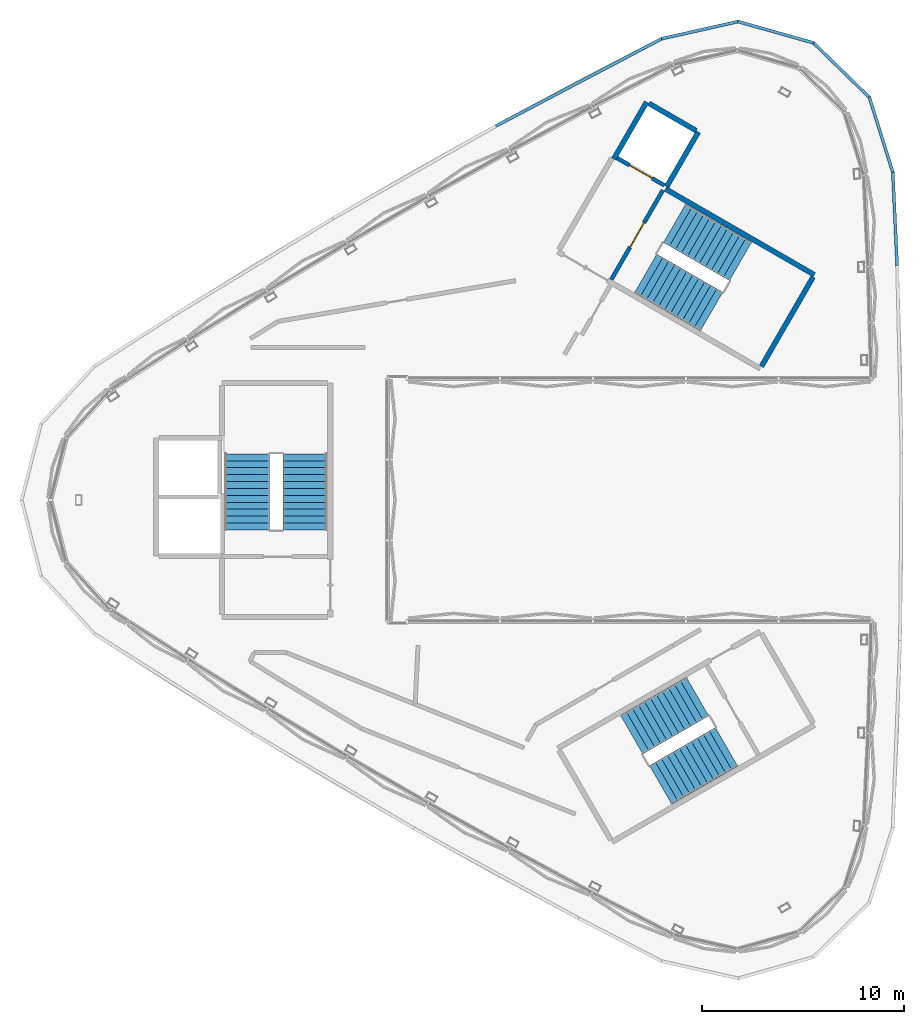
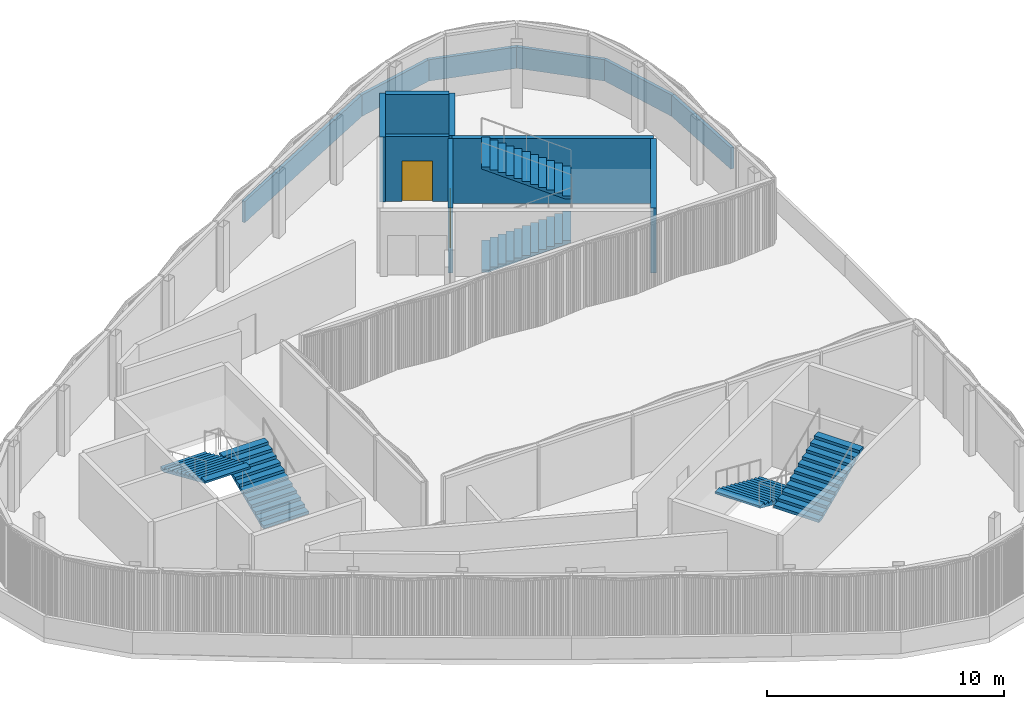
# One storey, part 8 of 16: 13 walls, 6 stair flights, 2 doors, 2 openings, 3 elements without a shape of their own.
"""IFC4 building model written with IfcOpenShell, lengths in metres."""

from ifc_helpers import new_model, si_unit, direction, frame, frame_2d, origin, place, context, subcontext, project, spatial, polyline, rectangle, outline, extrude, material, layer, layer_set, type_object, element, fill, aggregate, save


model = new_model("IFC4")

# Units and contexts
model_context = context("Model", 3, precision=1e-05, world=origin(), true_north=direction((0.0, 1.0)))
body_context = subcontext(model_context, "Body", "Model", "MODEL_VIEW")
ifc_project = project(units=[si_unit("LENGTHUNIT", "METRE"), si_unit("AREAUNIT", "SQUARE_METRE"), si_unit("VOLUMEUNIT", "CUBIC_METRE"), si_unit("PLANEANGLEUNIT", "RADIAN"), si_unit("MASSUNIT", "GRAM", prefix="KILO")], contexts=[model_context])

# Site, building, storey
site_placement = place(None, origin())
site = spatial("IfcSite", under=ifc_project, at=site_placement, CompositionType="ELEMENT")
building_placement = place(site_placement, origin())
building = spatial("IfcBuilding", under=site, at=building_placement, Name="Tamra Quay Hotel Tower", CompositionType="ELEMENT")
storey_placement = place(building_placement, frame((0.0, 0.0, 320.60009765625)))
storey = spatial("IfcBuildingStorey", under=building, at=storey_placement, Name="Roof crown 1", CompositionType="ELEMENT", Elevation=320.60009765625)

# Wall, opening, door
ifc_material_1 = material(Name="Concrete M70", Category="concrete")
ifc_layer_1 = layer(ifc_material_1, 0.199951171875)
ifc_layer_set_1 = layer_set([ifc_layer_1], Name="Concrete M70 core wall 200")
wall_type_1 = type_object("IfcWallType", Name="Concrete M70 core wall 200", PredefinedType="SHEAR", material=ifc_layer_set_1)
wall_1_placement = place(storey_placement, frame((3.056640625, 10.89453125, 0.0), z_axis=(0.0, 0.0, 1.0), x_axis=(0.499991534382, 0.866030291356, 0.0)))
wall_1 = element("IfcWall", 1, at=wall_1_placement, inside=storey, type_object=wall_type_1, Name="CW2", PredefinedType="SHEAR", context=body_context, shape_type="SweptSolid", body=[
    extrude(rectangle(XDim=5.10498046875, YDim=0.199951171875, at=frame_2d((2.552490234375, 0.0))), origin(), (0.0, 0.0, 1.0), 3.349853515625),
])
opening_1_placement = place(wall_1_placement, frame((1.84912109375, 0.0, 0.0)))
opening_1 = element("IfcOpeningElement", 2, at=opening_1_placement, cuts=wall_1, Name="Opening FD2", PredefinedType="OPENING", context=body_context, shape_type="SweptSolid", body=[
    extrude(rectangle(XDim=1.39990234375, YDim=2.10009765625, at=frame_2d((0.699951171875, 1.050048828125))), frame((0.0, 0.10986328125, 0.0), z_axis=(0.0, -1.0, 0.0), x_axis=(1.0, 0.0, 0.0)), (0.0, 0.0, 1.0), 0.219970703125),
])
ifc_material_2 = material(Name="Core door FD2 1400x2100 RH")
door_type_1 = type_object("IfcDoorType", Name="Core door FD2 1400x2100 RH", OperationType="NOTDEFINED", PredefinedType="DOOR", material=ifc_material_2)
door_1_placement = place(opening_1_placement, origin())
door_1 = element("IfcDoor", 3, at=door_1_placement, inside=storey, type_object=door_type_1, Name="FD2", OperationType="SINGLE_SWING_RIGHT", OverallHeight=2.10009765625, OverallWidth=1.39990234375, PredefinedType="DOOR", context=body_context, shape_type="SweptSolid", body=[
    extrude(rectangle(XDim=1.39990234375, YDim=2.10009765625, at=frame_2d((0.699951171875, 1.050048828125))), frame((0.0, 0.02490234375, 0.0), z_axis=(0.0, -1.0, 0.0), x_axis=(1.0, 0.0, 0.0)), (0.0, 0.0, 1.0), 0.050048828125),
])
fill(opening_1, door_1)

wall_2_placement = place(storey_placement, frame((5.68798828125, 15.5517578125, 0.0), z_axis=(0.0, 0.0, 1.0), x_axis=(-0.866007835605, 0.500030427744, 0.0)))
wall_2 = element("IfcWall", 4, at=wall_2_placement, inside=storey, type_object=wall_type_1, Name="CW2", PredefinedType="SHEAR", context=body_context, shape_type="SweptSolid", body=[
    extrude(rectangle(XDim=2.698974609375, YDim=0.199951171875, at=frame_2d((1.349609375, 0.0))), origin(), (0.0, 0.0, 1.0), 3.349853515625),
])
opening_2_placement = place(wall_2_placement, frame((0.699951171875, 0.0, 0.0)))
opening_2 = element("IfcOpeningElement", 5, at=opening_2_placement, cuts=wall_2, Name="Opening LD", PredefinedType="OPENING", context=body_context, shape_type="SweptSolid", body=[
    extrude(rectangle(XDim=1.300048828125, YDim=2.10009765625, at=frame_2d((0.64990234375, 1.050048828125))), frame((0.0, 0.10986328125, 0.0), z_axis=(0.0, -1.0, 0.0), x_axis=(1.0, 0.0, 0.0)), (0.0, 0.0, 1.0), 0.219970703125),
])
ifc_material_3 = material(Name="Landing door LD 1300 sliding to left")
door_type_2 = type_object("IfcDoorType", Name="Landing door LD 1300 sliding to left", OperationType="NOTDEFINED", PredefinedType="DOOR", material=ifc_material_3)
door_2_placement = place(opening_2_placement, origin())
door_2 = element("IfcDoor", 6, at=door_2_placement, inside=storey, type_object=door_type_2, Name="LD", OperationType="SLIDING_TO_LEFT", OverallHeight=2.10009765625, OverallWidth=1.300048828125, PredefinedType="DOOR", context=body_context, shape_type="SweptSolid", body=[
    extrude(rectangle(XDim=1.300048828125, YDim=2.10009765625, at=frame_2d((0.64990234375, 1.050048828125))), frame((0.0, 0.02490234375, 0.0), z_axis=(0.0, -1.0, 0.0), x_axis=(1.0, 0.0, 0.0)), (0.0, 0.0, 1.0), 0.050048828125),
])
fill(opening_2, door_2)

# Walls
ifc_layer_2 = layer(ifc_material_1, 0.25)
ifc_layer_set_2 = layer_set([ifc_layer_2], Name="Concrete M70 core wall 250")
wall_type_2 = type_object("IfcWallType", Name="Concrete M70 core wall 250", PredefinedType="SHEAR", material=ifc_layer_set_2)
wall_3_placement = place(storey_placement, frame((5.733642578125, 15.381103515625, 0.0), z_axis=(0.0, 0.0, 1.0), x_axis=(0.866028703517, -0.499994284652, 0.0)))
element("IfcWall", 7, at=wall_3_placement, inside=storey, type_object=wall_type_2, Name="CW1", PredefinedType="SHEAR", context=body_context, shape_type="SweptSolid", body=[
    extrude(rectangle(XDim=8.5, YDim=0.25, at=frame_2d((4.25, 0.0))), origin(), (0.0, 0.0, 1.0), 3.349853515625),
])
wall_4_placement = place(storey_placement, frame((13.0322265625, 11.0224609375, 0.0), z_axis=(0.0, 0.0, 1.0), x_axis=(-0.499995990076, -0.866027718903, 0.0)))
element("IfcWall", 8, at=wall_4_placement, inside=storey, type_object=wall_type_2, Name="CW1", PredefinedType="SHEAR", context=body_context, shape_type="SweptSolid", body=[
    extrude(rectangle(XDim=5.09912109375, YDim=0.25, at=frame_2d((2.549560546875, 0.0))), origin(), (0.0, 0.0, 1.0), 3.349853515625),
])
wall_5_placement = place(storey_placement, frame((7.358642578125, 18.19580078125, 0.0), z_axis=(0.0, 0.0, 1.0), x_axis=(-0.4999794672, -0.866037258078, 0.0)))
element("IfcWall", 9, at=wall_5_placement, inside=storey, type_object=wall_type_2, Name="CW1", PredefinedType="SHEAR", context=body_context, shape_type="SweptSolid", body=[
    extrude(rectangle(XDim=3.124755859375, YDim=0.25, at=frame_2d((1.5625, 0.0))), origin(), (0.0, 0.0, 1.0), 3.349853515625),
])
wall_6_placement = place(storey_placement, frame((3.178955078125, 16.856201171875, 0.0), z_axis=(0.0, 0.0, 1.0), x_axis=(0.500017246033, 0.866015446554, 0.0)))
element("IfcWall", 10, at=wall_6_placement, inside=storey, type_object=wall_type_2, Name="CW1", PredefinedType="SHEAR", context=body_context, shape_type="SweptSolid", body=[
    extrude(rectangle(XDim=3.25, YDim=0.25, at=frame_2d((1.625, 0.0))), origin(), (0.0, 0.0, 1.0), 3.349853515625),
])
wall_7_placement = place(storey_placement, frame((4.91259765625, 19.60791015625, 0.0), z_axis=(0.0, 0.0, 1.0), x_axis=(0.866030449233, -0.499991260925, 0.0)))
element("IfcWall", 11, at=wall_7_placement, inside=storey, type_object=wall_type_2, Name="CW1", PredefinedType="SHEAR", context=body_context, shape_type="SweptSolid", body=[
    extrude(rectangle(XDim=2.69921875, YDim=0.25, at=frame_2d((1.349609375, 0.0))), origin(), (0.0, 0.0, 1.0), 3.349853515625),
])
ifc_material_4 = material(Name="Reinforced concrete M60 with render", Category="concrete")
ifc_layer_3 = layer(ifc_material_4, 0.14990234375)
ifc_layer_set_3 = layer_set([ifc_layer_3], Name="PARAPET WALL 150")
wall_type_3 = type_object("IfcWallType", Name="PARAPET WALL 150", PredefinedType="PARAPET", material=ifc_layer_set_3)
wall_8_placement = place(storey_placement, frame((16.974853515625, 16.215087890625, 0.0), z_axis=(0.0, 0.0, 1.0), x_axis=(0.046807168777, -0.998903943806, 0.0)))
element("IfcWall", 12, at=wall_8_placement, inside=storey, type_object=wall_type_3, Name="PW0", PredefinedType="PARAPET", context=body_context, shape_type="SweptSolid", body=[
    extrude(rectangle(XDim=4.636962890625, YDim=0.14990234375, at=frame_2d((2.318359375, 0.0))), origin(), (0.0, 0.0, 1.0), 1.099853515625),
])
for number, where, z_axis, x_axis, name in (
    (13, (15.813232421875, 19.922119140625, 0.0), (0.0, 0.0, 1.0), (0.2983675743, -0.954451041493, 0.0), "PW0"),
    (14, (13.034423828125, 22.613037109375, 0.0), (0.0, 0.0, 1.0), (0.716764791091, -0.697315017945, 0.0), "PW0"),
):
    element("IfcWall", number, at=place(storey_placement, frame(where, z_axis=z_axis, x_axis=x_axis)), inside=storey, type_object=wall_type_3, Name=name, PredefinedType="PARAPET", context=body_context, shape_type="SweptSolid", body=[
        extrude(rectangle(XDim=3.90380859375, YDim=0.14990234375, at=frame_2d((1.951904296875, 0.0))), origin(), (0.0, 0.0, 1.0), 1.099853515625),
    ])
for number, where, z_axis, x_axis, name in (
    (15, (9.3095703125, 23.65673828125, 0.0), (0.0, 0.0, 1.0), (0.962289476883, -0.272027503538, 0.0), "PW0"),
    (16, (5.537109375, 22.801513671875, 0.0), (0.0, 0.0, 1.0), (0.975765869861, 0.218817200452, 0.0), "PW0"),
):
    element("IfcWall", number, at=place(storey_placement, frame(where, z_axis=z_axis, x_axis=x_axis)), inside=storey, type_object=wall_type_3, Name=name, PredefinedType="PARAPET", context=body_context, shape_type="SweptSolid", body=[
        extrude(rectangle(XDim=3.904052734375, YDim=0.14990234375, at=frame_2d((1.9521484375, 0.0))), origin(), (0.0, 0.0, 1.0), 1.099853515625),
    ])
wall_9_placement = place(storey_placement, frame((-2.648681640625, 18.489501953125, 0.0), z_axis=(0.0, 0.0, 1.0), x_axis=(0.884883948515, 0.465811547366, 0.0)))
element("IfcWall", 17, at=wall_9_placement, inside=storey, type_object=wall_type_3, Name="PW0", PredefinedType="PARAPET", context=body_context, shape_type="SweptSolid", body=[
    extrude(rectangle(XDim=9.271728515625, YDim=0.14990234375, at=frame_2d((4.6357421875, 0.0))), origin(), (0.0, 0.0, 1.0), 1.099853515625),
])

# Stair, stair flights
ifc_material_5 = material(Name="Exit stair 2200 24 risers 150.0 going 342")
stair_type = type_object("IfcStairType", Name="Exit stair 2200 24 risers 150.0 going 342", PredefinedType="HALF_TURN_STAIR", material=ifc_material_5)
stair_1_placement = place(storey_placement, origin())
stair_1 = element("IfcStair", 18, at=stair_1_placement, inside=storey, type_object=stair_type, Name="Roof crown 1 Exit stair ST3", PredefinedType="HALF_TURN_STAIR")
ifc_material_6 = material(Name="Exit stair flight 2200 12 risers 150.0")
stair_flight_type = type_object("IfcStairFlightType", Name="Exit stair flight 2200 12 risers 150.0", PredefinedType="STRAIGHT", material=ifc_material_6)
stair_flight_1_placement = place(storey_placement, frame((-12.082275390625, -1.47998046875, 0.0), z_axis=(0.0, 0.0, 1.0), x_axis=(0.0, 1.0, 0.0)))
stair_flight_1 = element("IfcStairFlight", 19, at=stair_flight_1_placement, type_object=stair_flight_type, Name="ST3 flight 1", NumberOfRisers=12, NumberOfTreads=11, PredefinedType="STRAIGHT", RiserHeight=0.15, TreadLength=0.342, context=body_context, shape_type="SweptSolid", body=[
    extrude(outline(polyline([(0.0, 0.0), (0.0, 0.14990234375), (0.342041015625, 0.14990234375), (0.342041015625, 0.300048828125), (0.68408203125, 0.300048828125), (0.68408203125, 0.449951171875), (1.02587890625, 0.449951171875), (1.02587890625, 0.60009765625), (1.367919921875, 0.60009765625), (1.367919921875, 0.75), (1.7099609375, 0.75), (1.7099609375, 0.89990234375), (2.052001953125, 0.89990234375), (2.052001953125, 1.050048828125), (2.39404296875, 1.050048828125), (2.39404296875, 1.199951171875), (2.736083984375, 1.199951171875), (2.736083984375, 1.35009765625), (3.077880859375, 1.35009765625), (3.077880859375, 1.5), (3.419921875, 1.5), (3.419921875, 1.64990234375), (3.761962890625, 1.64990234375), (3.761962890625, 1.800048828125), (3.761962890625, 1.540771484375), (0.249267578125, 0.0), (0.0, 0.0)])), frame((0.0, 1.10009765625, 0.0), z_axis=(0.0, -1.0, 0.0), x_axis=(1.0, 0.0, 0.0)), (0.0, 0.0, 1.0), 2.199951171875),
])
stair_flight_2_placement = place(storey_placement, frame((-14.94140625, 2.281982421875, 1.7998046875), z_axis=(0.0, 0.0, 1.0), x_axis=(0.0, -1.0, 0.0)))
stair_flight_2 = element("IfcStairFlight", 20, at=stair_flight_2_placement, type_object=stair_flight_type, Name="ST3 flight 2", NumberOfRisers=12, NumberOfTreads=11, PredefinedType="STRAIGHT", RiserHeight=0.15, TreadLength=0.342, context=body_context, shape_type="SweptSolid", body=[
    extrude(outline(polyline([(0.0, 0.0), (0.0, 0.14990234375), (0.342041015625, 0.14990234375), (0.342041015625, 0.300048828125), (0.68408203125, 0.300048828125), (0.68408203125, 0.449951171875), (1.02587890625, 0.449951171875), (1.02587890625, 0.60009765625), (1.367919921875, 0.60009765625), (1.367919921875, 0.75), (1.7099609375, 0.75), (1.7099609375, 0.89990234375), (2.052001953125, 0.89990234375), (2.052001953125, 1.050048828125), (2.39404296875, 1.050048828125), (2.39404296875, 1.199951171875), (2.736083984375, 1.199951171875), (2.736083984375, 1.35009765625), (3.077880859375, 1.35009765625), (3.077880859375, 1.5), (3.419921875, 1.5), (3.419921875, 1.64990234375), (3.761962890625, 1.64990234375), (3.761962890625, 1.800048828125), (3.761962890625, 1.540771484375), (0.249267578125, 0.0), (0.0, 0.0)])), frame((0.0, 1.10009765625, 0.0), z_axis=(0.0, -1.0, 0.0), x_axis=(1.0, 0.0, 0.0)), (0.0, 0.0, 1.0), 2.199951171875),
])
aggregate(stair_1, [stair_flight_1, stair_flight_2])

stair_2_placement = place(storey_placement, origin())
stair_2 = element("IfcStair", 21, at=stair_2_placement, inside=storey, type_object=stair_type, Name="Roof crown 1 Exit stair ST1", PredefinedType="HALF_TURN_STAIR")
stair_flight_3_placement = place(storey_placement, frame((4.75927734375, 11.20361328125, 0.0), z_axis=(0.0, 0.0, 1.0), x_axis=(0.866025403784, -0.5, 0.0)))
stair_flight_3 = element("IfcStairFlight", 22, at=stair_flight_3_placement, type_object=stair_flight_type, Name="ST1 flight 1", NumberOfRisers=12, NumberOfTreads=11, PredefinedType="STRAIGHT", RiserHeight=0.15, TreadLength=0.342, context=body_context, shape_type="SweptSolid", body=[
    extrude(outline(polyline([(0.0, 0.0), (0.0, 0.14990234375), (0.342041015625, 0.14990234375), (0.342041015625, 0.300048828125), (0.68408203125, 0.300048828125), (0.68408203125, 0.449951171875), (1.02587890625, 0.449951171875), (1.02587890625, 0.60009765625), (1.367919921875, 0.60009765625), (1.367919921875, 0.75), (1.7099609375, 0.75), (1.7099609375, 0.89990234375), (2.052001953125, 0.89990234375), (2.052001953125, 1.050048828125), (2.39404296875, 1.050048828125), (2.39404296875, 1.199951171875), (2.736083984375, 1.199951171875), (2.736083984375, 1.35009765625), (3.077880859375, 1.35009765625), (3.077880859375, 1.5), (3.419921875, 1.5), (3.419921875, 1.64990234375), (3.761962890625, 1.64990234375), (3.761962890625, 1.800048828125), (3.761962890625, 1.540771484375), (0.249267578125, 0.0), (0.0, 0.0)])), frame((0.0, 1.10009765625, 0.0), z_axis=(0.0, -1.0, 0.0), x_axis=(1.0, 0.0, 0.0)), (0.0, 0.0, 1.0), 2.199951171875),
])
stair_flight_4_placement = place(storey_placement, frame((9.44677734375, 11.798583984375, 1.7998046875), z_axis=(0.0, 0.0, 1.0), x_axis=(-0.866025403784, 0.5, 0.0)))
stair_flight_4 = element("IfcStairFlight", 23, at=stair_flight_4_placement, type_object=stair_flight_type, Name="ST1 flight 2", NumberOfRisers=12, NumberOfTreads=11, PredefinedType="STRAIGHT", RiserHeight=0.15, TreadLength=0.342, context=body_context, shape_type="SweptSolid", body=[
    extrude(outline(polyline([(0.0, 0.0), (0.0, 0.14990234375), (0.342041015625, 0.14990234375), (0.342041015625, 0.300048828125), (0.68408203125, 0.300048828125), (0.68408203125, 0.449951171875), (1.02587890625, 0.449951171875), (1.02587890625, 0.60009765625), (1.367919921875, 0.60009765625), (1.367919921875, 0.75), (1.7099609375, 0.75), (1.7099609375, 0.89990234375), (2.052001953125, 0.89990234375), (2.052001953125, 1.050048828125), (2.39404296875, 1.050048828125), (2.39404296875, 1.199951171875), (2.736083984375, 1.199951171875), (2.736083984375, 1.35009765625), (3.077880859375, 1.35009765625), (3.077880859375, 1.5), (3.419921875, 1.5), (3.419921875, 1.64990234375), (3.761962890625, 1.64990234375), (3.761962890625, 1.800048828125), (3.761962890625, 1.540771484375), (0.249267578125, 0.0), (0.0, 0.0)])), frame((0.0, 1.10009765625, 0.0), z_axis=(0.0, -1.0, 0.0), x_axis=(1.0, 0.0, 0.0)), (0.0, 0.0, 1.0), 2.199951171875),
])
aggregate(stair_2, [stair_flight_3, stair_flight_4])

stair_3_placement = place(storey_placement, origin())
stair_3 = element("IfcStair", 24, at=stair_3_placement, inside=storey, type_object=stair_type, Name="Roof crown 1 Exit stair ST2", PredefinedType="HALF_TURN_STAIR")
stair_flight_5_placement = place(storey_placement, frame((7.322998046875, -9.7236328125, 0.0), z_axis=(0.0, 0.0, 1.0), x_axis=(-0.866025403784, -0.5, 0.0)))
stair_flight_5 = element("IfcStairFlight", 25, at=stair_flight_5_placement, type_object=stair_flight_type, Name="ST2 flight 1", NumberOfRisers=12, NumberOfTreads=11, PredefinedType="STRAIGHT", RiserHeight=0.15, TreadLength=0.342, context=body_context, shape_type="SweptSolid", body=[
    extrude(outline(polyline([(0.0, 0.0), (0.0, 0.14990234375), (0.342041015625, 0.14990234375), (0.342041015625, 0.300048828125), (0.68408203125, 0.300048828125), (0.68408203125, 0.449951171875), (1.02587890625, 0.449951171875), (1.02587890625, 0.60009765625), (1.367919921875, 0.60009765625), (1.367919921875, 0.75), (1.7099609375, 0.75), (1.7099609375, 0.89990234375), (2.052001953125, 0.89990234375), (2.052001953125, 1.050048828125), (2.39404296875, 1.050048828125), (2.39404296875, 1.199951171875), (2.736083984375, 1.199951171875), (2.736083984375, 1.35009765625), (3.077880859375, 1.35009765625), (3.077880859375, 1.5), (3.419921875, 1.5), (3.419921875, 1.64990234375), (3.761962890625, 1.64990234375), (3.761962890625, 1.800048828125), (3.761962890625, 1.540771484375), (0.249267578125, 0.0), (0.0, 0.0)])), frame((0.0, 1.10009765625, 0.0), z_axis=(0.0, -1.0, 0.0), x_axis=(1.0, 0.0, 0.0)), (0.0, 0.0, 1.0), 2.199951171875),
])
stair_flight_6_placement = place(storey_placement, frame((5.494384765625, -14.08056640625, 1.7998046875), z_axis=(0.0, 0.0, 1.0), x_axis=(0.866025403784, 0.5, 0.0)))
stair_flight_6 = element("IfcStairFlight", 26, at=stair_flight_6_placement, type_object=stair_flight_type, Name="ST2 flight 2", NumberOfRisers=12, NumberOfTreads=11, PredefinedType="STRAIGHT", RiserHeight=0.15, TreadLength=0.342, context=body_context, shape_type="SweptSolid", body=[
    extrude(outline(polyline([(0.0, 0.0), (0.0, 0.14990234375), (0.342041015625, 0.14990234375), (0.342041015625, 0.300048828125), (0.68408203125, 0.300048828125), (0.68408203125, 0.449951171875), (1.02587890625, 0.449951171875), (1.02587890625, 0.60009765625), (1.367919921875, 0.60009765625), (1.367919921875, 0.75), (1.7099609375, 0.75), (1.7099609375, 0.89990234375), (2.052001953125, 0.89990234375), (2.052001953125, 1.050048828125), (2.39404296875, 1.050048828125), (2.39404296875, 1.199951171875), (2.736083984375, 1.199951171875), (2.736083984375, 1.35009765625), (3.077880859375, 1.35009765625), (3.077880859375, 1.5), (3.419921875, 1.5), (3.419921875, 1.64990234375), (3.761962890625, 1.64990234375), (3.761962890625, 1.800048828125), (3.761962890625, 1.540771484375), (0.249267578125, 0.0), (0.0, 0.0)])), frame((0.0, 1.10009765625, 0.0), z_axis=(0.0, -1.0, 0.0), x_axis=(1.0, 0.0, 0.0)), (0.0, 0.0, 1.0), 2.199951171875),
])
aggregate(stair_3, [stair_flight_5, stair_flight_6])

save(model, "model.ifc")
